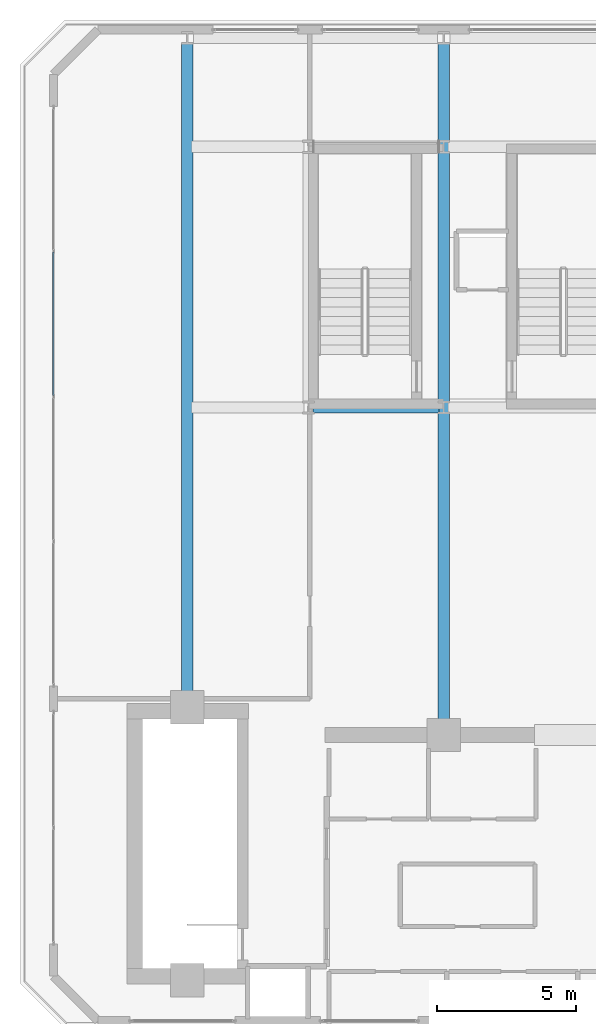
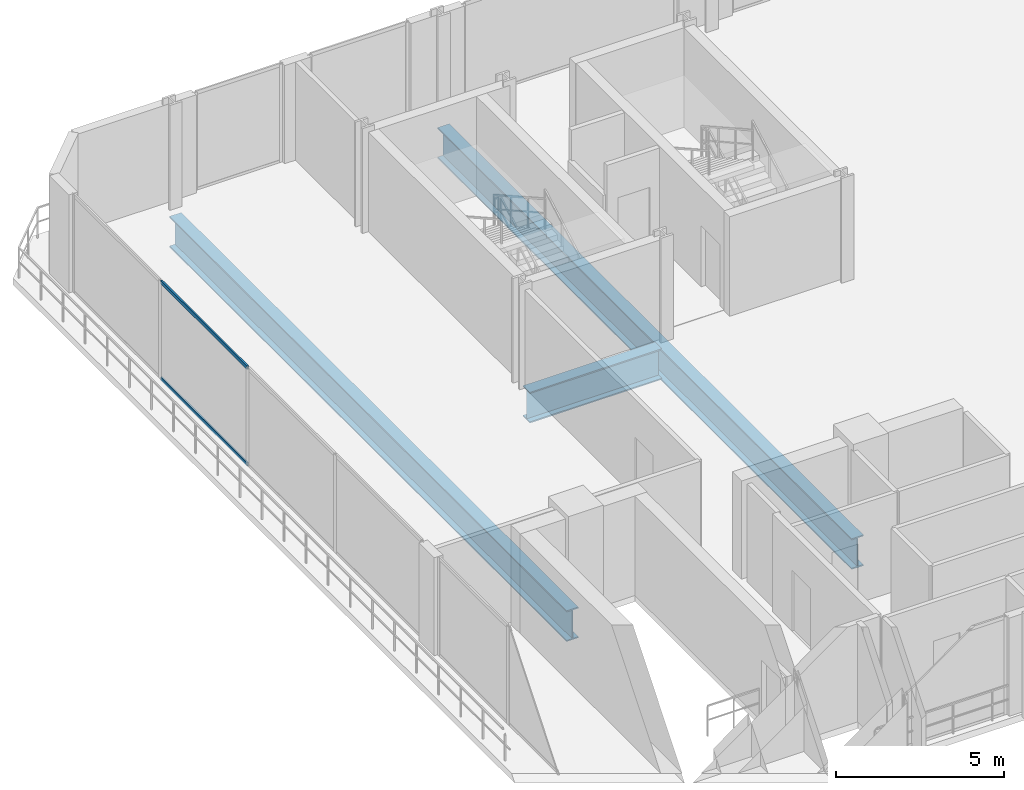
# One storey, part 9 of 26: 3 beams, 2 members, 1 element without a shape of its own.
"""IFC4 building model written with IfcOpenShell, lengths in metres."""

from ifc_helpers import new_model, si_unit, direction, frame, origin, origin_2d, place, context, subcontext, project, spatial, hollow_rectangle, i_section, extrude, material, layer, layer_set, material_profile, profile_set, type_object, element, aggregate, save


model = new_model("IFC4")

# Units and contexts
model_context = context("Model", 3, precision=1e-05, world=origin(), true_north=direction((0.0, 1.0)))
body_context = subcontext(model_context, "Body", "Model", "MODEL_VIEW")
ifc_project = project(units=[si_unit("LENGTHUNIT", "METRE"), si_unit("AREAUNIT", "SQUARE_METRE"), si_unit("VOLUMEUNIT", "CUBIC_METRE"), si_unit("PLANEANGLEUNIT", "RADIAN"), si_unit("MASSUNIT", "GRAM", prefix="KILO")], contexts=[model_context])

# Site, building, storey
site_placement = place(None, origin())
site = spatial("IfcSite", under=ifc_project, at=site_placement, CompositionType="ELEMENT")
building_placement = place(site_placement, origin())
building = spatial("IfcBuilding", under=site, at=building_placement, Name="Zuhayl Quay Hotel", CompositionType="ELEMENT")
storey_placement = place(building_placement, frame((0.0, 0.0, 301.050048828125)))
storey = spatial("IfcBuildingStorey", under=building, at=storey_placement, Name="Crown 2", CompositionType="ELEMENT", Elevation=301.050048828125)

# Beams
ifc_material_1 = material(Name="Steel ASTM A913 Grade 65", Category="steel")
ifc_material_profile_1 = material_profile(ifc_material_1, i_section(OverallWidth=0.404052734375, OverallDepth=1.117919921875, WebThickness=0.026123046875, FlangeThickness=0.044921875, at=origin_2d()), Name="W44X335")
ifc_profile_set_1 = profile_set([ifc_material_profile_1], Name="Steel ASTM A913 Grade 65")
beam_type = type_object("IfcBeamType", Name="BM_TG1_W44X335", PredefinedType="BEAM", material=ifc_profile_set_1)
beam_1_placement = place(storey_placement, frame((-13.800048828125, 14.550048828125, -0.799072265625), z_axis=(0.0, 1.0, 0.0), x_axis=(-1.0, 0.0, 0.0)))
element("IfcBeam", 1, at=beam_1_placement, inside=storey, type_object=beam_type, Name="Crown 2 Floor Beam CR_NS_2_1", PredefinedType="BEAM", context=body_context, shape_type="SweptSolid", body=[
    extrude(i_section(OverallWidth=0.404052734375, OverallDepth=1.117919921875, WebThickness=0.026123046875, FlangeThickness=0.044921875, at=origin_2d()), origin(), (0.0, 0.0, 1.0), 23.599853515625),
])
beam_2_placement = place(storey_placement, frame((-4.60009765625, 13.550048828125, -0.799072265625), z_axis=(0.0, 1.0, 0.0), x_axis=(-1.0, 0.0, 0.0)))
element("IfcBeam", 2, at=beam_2_placement, inside=storey, type_object=beam_type, Name="Crown 2 Floor Beam CR_NS_2_2", PredefinedType="BEAM", context=body_context, shape_type="SweptSolid", body=[
    extrude(i_section(OverallWidth=0.404052734375, OverallDepth=1.117919921875, WebThickness=0.026123046875, FlangeThickness=0.044921875, at=origin_2d()), origin(), (0.0, 0.0, 1.0), 24.599853515625),
])
beam_3_placement = place(storey_placement, frame((-9.2900390625, 25.10009765625, -0.799072265625), z_axis=(1.0, 0.0, 0.0), x_axis=(0.0, 1.0, 0.0)))
element("IfcBeam", 3, at=beam_3_placement, inside=storey, type_object=beam_type, Name="Crown 2 Floor Beam CR_EW_2_1_2", PredefinedType="BEAM", context=body_context, shape_type="SweptSolid", body=[
    extrude(i_section(OverallWidth=0.404052734375, OverallDepth=1.117919921875, WebThickness=0.026123046875, FlangeThickness=0.044921875, at=origin_2d()), origin(), (0.0, 0.0, 1.0), 4.530029296875),
])

# Curtain wall, members
ifc_material_2 = material(Name="Anodised Aluminium 6063-T6", Category="aluminium")
ifc_layer = layer(ifc_material_2, 0.159912109375, Name="Anodised Aluminium 6063-T6", Category="aluminium")
ifc_layer_set = layer_set([ifc_layer], Name="Anodised Aluminium 6063-T6")
curtain_wall_type = type_object("IfcCurtainWallType", Name="CW_SYS_CRN", PredefinedType="USERDEFINED", material=ifc_layer_set)
curtain_wall_placement = place(storey_placement, origin())
curtain_wall = element("IfcCurtainWall", 4, at=curtain_wall_placement, inside=storey, type_object=curtain_wall_type, Name="Crown 2 Curtain Wall ENV_CR2_E1_CW2", ObjectType="UNITISED CURTAIN WALL", PredefinedType="USERDEFINED")
ifc_material_3 = material(Name="Black-anodised aluminium 6063-T6", Category="aluminium")
ifc_material_profile_2 = material_profile(ifc_material_3, hollow_rectangle(XDim=0.054931640625, YDim=0.1298828125, WallThickness=0.0029296875, at=origin_2d()), Name="ALU130X55")
ifc_profile_set_2 = profile_set([ifc_material_profile_2], Name="Black-anodised aluminium 6063-T6")
member_type = type_object("IfcMemberType", Name="MB_CW_TRN_130", PredefinedType="USERDEFINED", material=ifc_profile_set_2)
member_1_placement = place(storey_placement, frame((-18.60009765625, 25.530029296875, 0.02734375), z_axis=(0.0, 1.0, 0.0), x_axis=(-1.0, 0.0, 0.0)))
member_1 = element("IfcMember", 5, at=member_1_placement, type_object=member_type, Name="CW-CRN transom 3.1", ObjectType="TRANSOM", PredefinedType="USERDEFINED", context=body_context, shape_type="SweptSolid", body=[
    extrude(hollow_rectangle(XDim=0.054931640625, YDim=0.1298828125, WallThickness=0.0029296875, at=origin_2d()), origin(), (0.0, 0.0, 1.0), 5.139892578125),
])
member_2_placement = place(storey_placement, frame((-18.60009765625, 25.530029296875, 3.532470703125), z_axis=(0.0, 1.0, 0.0), x_axis=(-1.0, 0.0, 0.0)))
member_2 = element("IfcMember", 6, at=member_2_placement, type_object=member_type, Name="CW-CRN transom 3.2", ObjectType="TRANSOM", PredefinedType="USERDEFINED", context=body_context, shape_type="SweptSolid", body=[
    extrude(hollow_rectangle(XDim=0.054931640625, YDim=0.1298828125, WallThickness=0.0029296875, at=origin_2d()), origin(), (0.0, 0.0, 1.0), 5.139892578125),
])
aggregate(curtain_wall, [member_1, member_2])

save(model, "model.ifc")
